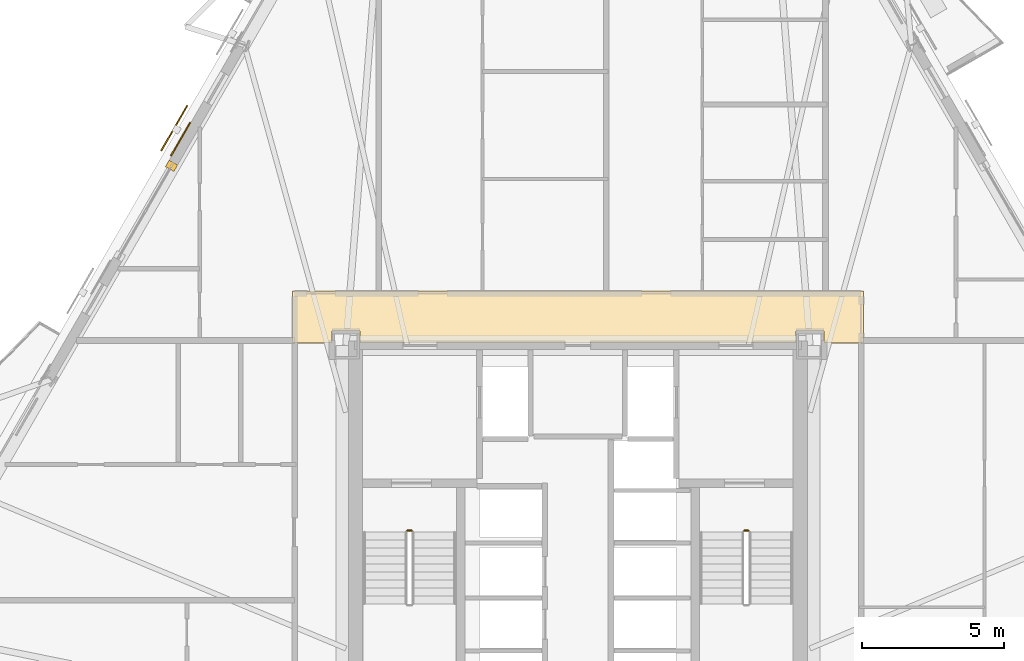
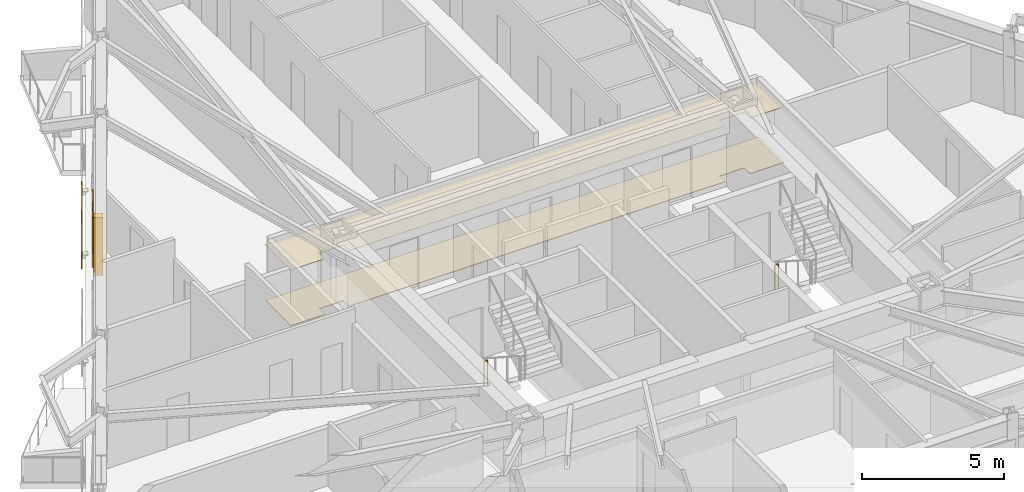
# One storey, part 16 of 17: 4 coverings, 2 railings, 1 shading device.
"""IFC4 building model written with IfcOpenShell, lengths in metres."""

from ifc_helpers import new_model, si_unit, direction, frame, origin, origin_2d, place, context, subcontext, project, spatial, polyline, rectangle, circle, outline, extrude, material, layer, layer_set, type_object, element, save


model = new_model("IFC4")

# Units and contexts
model_context = context("Model", 3, precision=1e-05, world=origin(), true_north=direction((0.0, 1.0)))
body_context = subcontext(model_context, "Body", "Model", "MODEL_VIEW")
ifc_project = project(units=[si_unit("LENGTHUNIT", "METRE"), si_unit("AREAUNIT", "SQUARE_METRE"), si_unit("VOLUMEUNIT", "CUBIC_METRE"), si_unit("PLANEANGLEUNIT", "RADIAN"), si_unit("MASSUNIT", "GRAM", prefix="KILO")], contexts=[model_context])

# Site, building, storey
site_placement = place(None, origin())
site = spatial("IfcSite", under=ifc_project, at=site_placement, CompositionType="ELEMENT")
building_placement = place(site_placement, origin())
building = spatial("IfcBuilding", under=site, at=building_placement, Name="Oramaril Tower", CompositionType="ELEMENT")
storey_placement = place(building_placement, frame((0.0, 0.0, 70.5)))
storey = spatial("IfcBuildingStorey", under=building, at=storey_placement, Name="L18", CompositionType="ELEMENT", Elevation=70.5)

# Coverings
ifc_material_1 = material(Name="Mineral Fibre Acoustic Ceiling")
ifc_layer_1 = layer(ifc_material_1, 0.02001953125)
ifc_layer_set_1 = layer_set([ifc_layer_1], Name="CVT-CEIL")
covering_type_1 = type_object("IfcCoveringType", Name="CVT-CEIL", PredefinedType="CEILING", material=ifc_layer_set_1)
covering_1_placement = place(storey_placement, frame((0.0, 0.0, 2.39990234375)))
element("IfcCovering", 1, at=covering_1_placement, inside=storey, type_object=covering_type_1, Name="L18 Acoustic Suspended Ceiling 2", PredefinedType="CEILING", context=body_context, shape_type="SweptSolid", body=[
    extrude(outline(polyline([(47.530029296875, 24.239990234375), (46.14501953125, 24.239990234375), (46.14501953125, 24.64501953125), (45.155029296875, 24.64501953125), (45.155029296875, 24.25), (29.844970703125, 24.25), (29.844970703125, 24.64501953125), (28.85498046875, 24.64501953125), (28.85498046875, 24.239990234375), (27.469970703125, 24.239990234375), (27.469970703125, 26.050048828125), (47.530029296875, 26.050048828125), (47.530029296875, 24.239990234375)])), origin(), (0.0, 0.0, 1.0), 0.02001953125),
])
ifc_material_2 = material(Name="Warm Cream Limestone", Category="masonry")
ifc_layer_2 = layer(ifc_material_2, 0.050048828125)
ifc_layer_set_2 = layer_set([ifc_layer_2], Name="CVT-CLD")
covering_type_2 = type_object("IfcCoveringType", Name="CVT-CLD", PredefinedType="CLADDING", material=ifc_layer_set_2)
covering_2_placement = place(storey_placement, frame((23.2255859375, 30.45458984375, 0.0), z_axis=(0.0, 0.0, 1.0), x_axis=(-0.5, -0.866025403784, 0.0)))
element("IfcCovering", 2, at=covering_2_placement, inside=storey, type_object=covering_type_2, Name="L18 Curtain Wall Limestone Jamb Closure", PredefinedType="CLADDING", context=body_context, shape_type="SweptSolid", body=[
    extrude(rectangle(XDim=0.260009765625, YDim=0.340087890625, at=origin_2d()), origin(), (0.0, 0.0, 1.0), 2.493896484375),
])
covering_3_placement = place(storey_placement, frame((23.54345703125, 31.39111328125, 0.0400390625), z_axis=(0.0, 0.0, 1.0), x_axis=(-0.5, -0.866025403784, 0.0)))
element("IfcCovering", 3, at=covering_3_placement, inside=storey, type_object=covering_type_2, Name="L18 Warm Cream Limestone Cladding", PredefinedType="CLADDING", context=body_context, shape_type="SweptSolid", body=[
    extrude(rectangle(XDim=1.35009765625, YDim=0.050048828125, at=origin_2d()), origin(), (0.0, 0.0, 1.0), 2.4140625),
])
ifc_material_3 = material(Name="Honed Quartzite Stone Flooring", Category="masonry")
ifc_layer_3 = layer(ifc_material_3, 0.02490234375)
ifc_layer_set_3 = layer_set([ifc_layer_3], Name="CVT-FLR")
covering_type_3 = type_object("IfcCoveringType", Name="CVT-FLR", PredefinedType="FLOORING", material=ifc_layer_set_3)
covering_4_placement = place(storey_placement, origin())
element("IfcCovering", 4, at=covering_4_placement, inside=storey, type_object=covering_type_3, Name="L18 Honed Stone Floor Finish 2", PredefinedType="FLOORING", context=body_context, shape_type="SweptSolid", body=[
    extrude(outline(polyline([(47.530029296875, 24.239990234375), (46.14501953125, 24.239990234375), (46.14501953125, 24.64501953125), (45.155029296875, 24.64501953125), (45.155029296875, 24.25), (29.844970703125, 24.25), (29.844970703125, 24.64501953125), (28.85498046875, 24.64501953125), (28.85498046875, 24.239990234375), (27.469970703125, 24.239990234375), (27.469970703125, 26.050048828125), (47.530029296875, 26.050048828125), (47.530029296875, 24.239990234375)])), origin(), (0.0, 0.0, 1.0), 0.02490234375),
])

# Railings
ifc_material_4 = material(Name="Stainless Steel 316L", Category="steel")
railing_type = type_object("IfcRailingType", Name="RLT-GRD", PredefinedType="GUARDRAIL", material=ifc_material_4)
for number, where, name in (
    (5, (31.510009765625, 17.639892578125, 0.0), "L18 ST-1 stair guard 4"),
    (6, (43.340087890625, 17.639892578125, 0.0), "L18 ST-2 stair guard 4"),
):
    element("IfcRailing", number, at=place(storey_placement, frame(where)), inside=storey, type_object=railing_type, Name=name, PredefinedType="GUARDRAIL", context=body_context, shape_type="SweptSolid", body=[
        extrude(circle(Radius=0.02392578125, at=origin_2d()), frame((0.0, 0.0, 1.076171875), z_axis=(1.0, 0.0, 0.0), x_axis=(0.0, 1.0, 0.0)), (0.0, 0.0, 1.0), 0.14990234375),
        extrude(circle(Radius=0.02099609375, at=origin_2d()), origin(), (0.0, 0.0, 1.0), 1.052001953125),
        extrude(circle(Radius=0.02099609375, at=origin_2d()), frame((0.14990234375, 0.0, 0.0)), (0.0, 0.0, 1.0), 1.052001953125),
    ])

# Shading device
shading_device_placement = place(storey_placement, frame((23.31982421875, 31.778076171875, -0.02001953125), z_axis=(0.0, 0.0, 1.0), x_axis=(-0.4999984885, -0.866026276448, 0.0)))
element("IfcShadingDevice", 7, at=shading_device_placement, inside=storey, Name="L18 Perforated Ceramic Solar Screen", ObjectType="SCREEN", PredefinedType="USERDEFINED", context=body_context, shape_type="SweptSolid", body=[
    extrude(rectangle(XDim=1.8330078125, YDim=0.050048828125, at=origin_2d()), origin(), (0.0, 0.0, 1.0), 2.493896484375),
])

save(model, "model.ifc")
